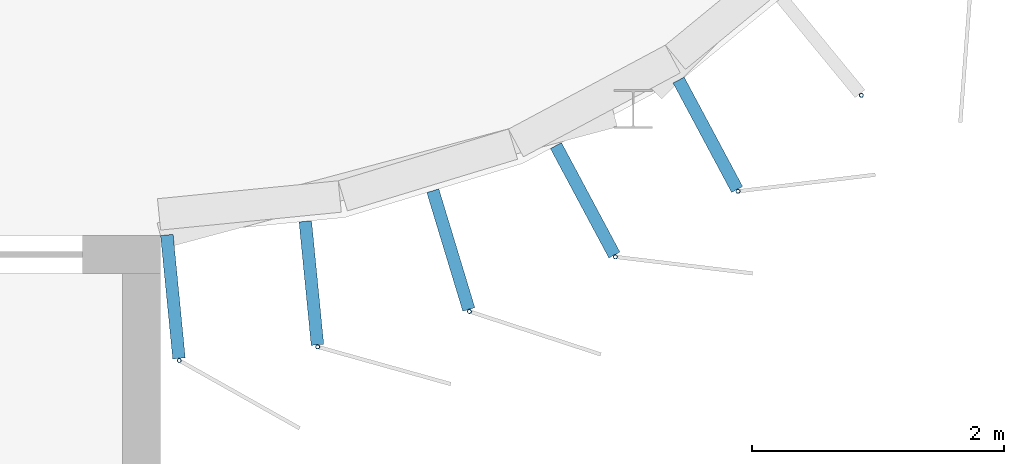
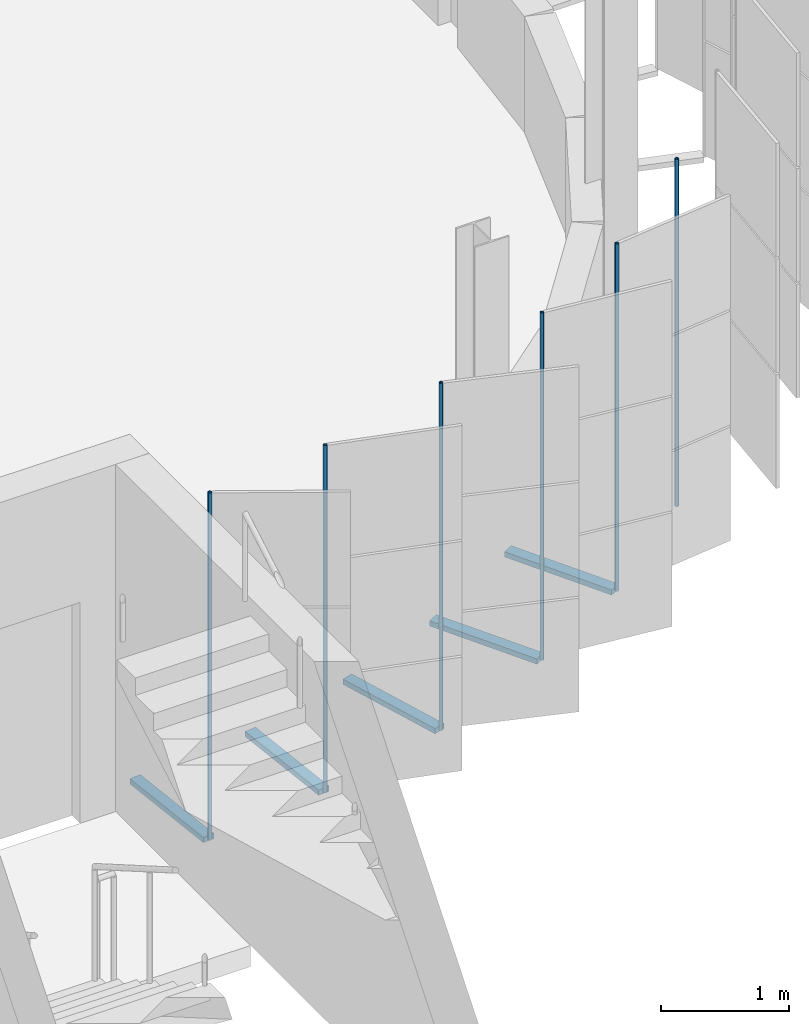
# One storey, part 106 of 214: 11 discrete accessories.
"""IFC4 building model written with IfcOpenShell, lengths in metres."""

from ifc_helpers import new_model, si_unit, direction, frame, origin, origin_2d, place, context, subcontext, project, spatial, rectangle, hollow_circle, extrude, material, material_profile, profile_set, type_object, element, save


model = new_model("IFC4")

# Units and contexts
model_context = context("Model", 3, precision=1e-05, world=origin(), true_north=direction((0.0, 1.0)))
body_context = subcontext(model_context, "Body", "Model", "MODEL_VIEW")
ifc_project = project(units=[si_unit("LENGTHUNIT", "METRE"), si_unit("AREAUNIT", "SQUARE_METRE"), si_unit("VOLUMEUNIT", "CUBIC_METRE"), si_unit("PLANEANGLEUNIT", "RADIAN"), si_unit("MASSUNIT", "GRAM", prefix="KILO")], contexts=[model_context])

# Site, building, storey
site_placement = place(None, origin())
site = spatial("IfcSite", under=ifc_project, at=site_placement, CompositionType="ELEMENT")
building_placement = place(site_placement, origin())
building = spatial("IfcBuilding", under=site, at=building_placement, Name="Parallax Yard Mobility Hub", CompositionType="ELEMENT")
storey_placement = place(building_placement, frame((0.0, 0.0, 3.300048828125)))
storey = spatial("IfcBuildingStorey", under=building, at=storey_placement, Name="L01", CompositionType="ELEMENT", Elevation=3.300048828125)

# Discrete accessories
ifc_material_1 = material(Name="Steel ASTM A36, hot-dip galvanised", Category="steel")
discrete_accessory_type_1 = type_object("IfcDiscreteAccessoryType", Name="Hinge bracket plate 100x50", PredefinedType="BRACKET", material=ifc_material_1)
for number, where, z_axis, x_axis, name in (
    (1, (217.5986328125, 22.015869140625, -0.02490234375), (0.0, 0.0, 1.0), (0.09801714033, -0.995184726672, 0.0), "Hinge bracket plate bay 32.1 level L01"),
    (2, (218.697021484375, 22.123779296875, -0.02490234375), (0.0, 0.0, 1.0), (0.09801714033, -0.995184726672, 0.0), "Hinge bracket plate bay 32.2 level L01"),
    (3, (219.80322265625, 22.38525390625, -0.02490234375), (0.0, 0.0, 1.0), (0.290284677254, -0.956940335732, 0.0), "Hinge bracket plate bay 32.3 level L01"),
    (4, (220.868896484375, 22.7802734375, -0.02490234375), (0.0, 0.0, 1.0), (0.471396736826, -0.881921264348, 0.0), "Hinge bracket plate bay 32.4 level L01"),
    (5, (221.84228515625, 23.30029296875, -0.02490234375), (0.0, 0.0, 1.0), (0.471396736826, -0.881921264348, 0.0), "Hinge bracket plate bay 32.5 level L01"),
):
    element("IfcDiscreteAccessory", number, at=place(storey_placement, frame(where, z_axis=z_axis, x_axis=x_axis)), inside=storey, type_object=discrete_accessory_type_1, Name=name, PredefinedType="BRACKET", context=body_context, shape_type="SweptSolid", body=[
        extrude(rectangle(XDim=0.984130859375, YDim=0.10009765625, at=origin_2d()), origin(), (0.0, 0.0, 1.0), 0.050048828125),
    ])
ifc_material_2 = material(Name="Steel ASTM A500 Gr C, hot-dip galvanised", Category="steel")
ifc_material_profile = material_profile(ifc_material_2, hollow_circle(Radius=0.016845703125, WallThickness=0.003173828125, at=origin_2d()), Name="CHS 33.7x3.2")
ifc_profile_set = profile_set([ifc_material_profile], Name="Steel ASTM A500 Gr C, hot-dip galvanised")
discrete_accessory_type_2 = type_object("IfcDiscreteAccessoryType", Name="Hinge post CHS 33.7x3.2", PredefinedType="BRACKET", material=ifc_profile_set)
for number, where, z_axis, x_axis, name in (
    (6, (217.6484375, 21.509765625, 0.0), (0.0, 0.0, 1.0), (1.0, 0.0, 0.0), "Hinge post bay 32.1 level L01"),
    (7, (218.746826171875, 21.617919921875, 0.0), (0.0, 0.0, 1.0), (1.0, 0.0, 0.0), "Hinge post bay 32.2 level L01"),
    (8, (219.95068359375, 21.898681640625, 0.0), (0.0, 0.0, 1.0), (1.0, 0.0, 0.0), "Hinge post bay 32.3 level L01"),
    (9, (221.108642578125, 22.331787109375, 0.0), (0.0, 0.0, 1.0), (1.0, 0.0, 0.0), "Hinge post bay 32.4 level L01"),
    (10, (222.08203125, 22.85205078125, 0.0), (0.0, 0.0, 1.0), (1.0, 0.0, 0.0), "Hinge post bay 32.5 level L01"),
    (11, (223.059326171875, 23.61328125, 0.0), (0.0, 0.0, 1.0), (1.0, 0.0, 0.0), "Hinge post bay 32.6 level L01"),
):
    element("IfcDiscreteAccessory", number, at=place(storey_placement, frame(where, z_axis=z_axis, x_axis=x_axis)), inside=storey, type_object=discrete_accessory_type_2, Name=name, PredefinedType="BRACKET", context=body_context, shape_type="SweptSolid", body=[
        extrude(hollow_circle(Radius=0.016845703125, WallThickness=0.003173828125, at=origin_2d()), origin(), (0.0, 0.0, 1.0), 3.300048828125),
    ])

save(model, "model.ifc")
